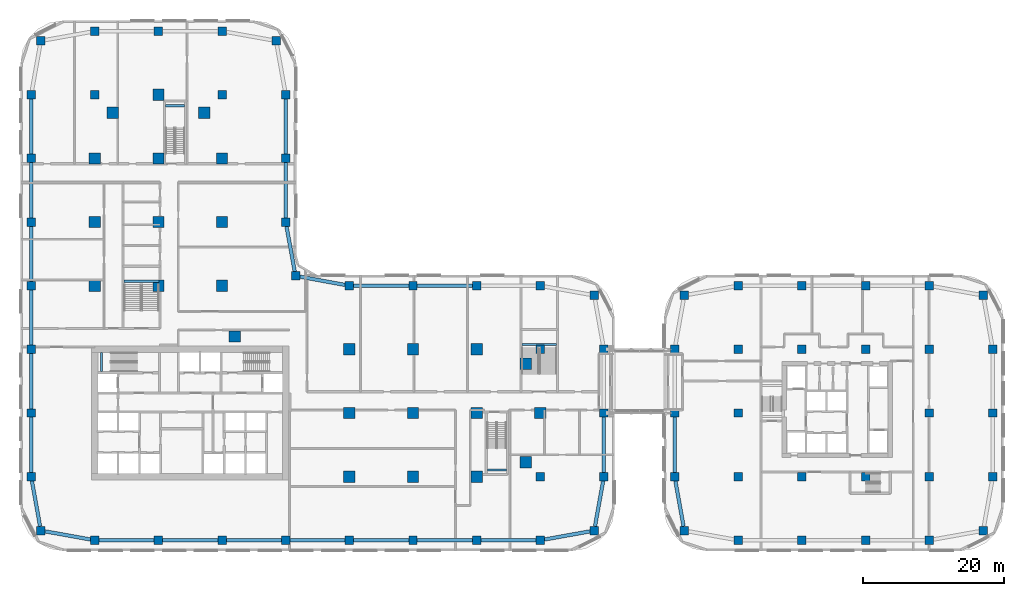
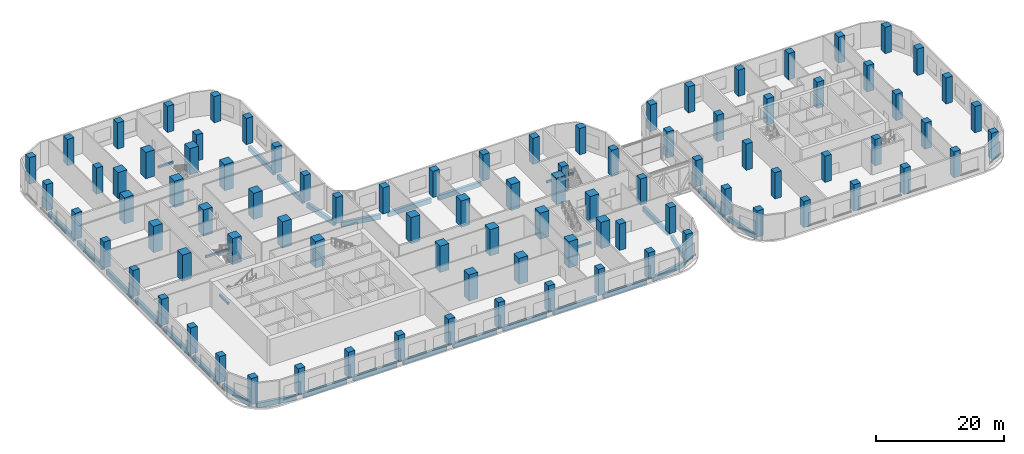
# One storey, part 1 of 35: 91 columns, 31 beams.
"""IFC4 building model written with IfcOpenShell, lengths in metres."""

from ifc_helpers import new_model, si_unit, direction, frame, origin, origin_2d, place, context, subcontext, project, spatial, rectangle, extrude, material, material_profile, profile_set, type_object, element, save


model = new_model("IFC4")

# Units and contexts
model_context = context("Model", 3, precision=1e-05, world=origin(), true_north=direction((0.0, 1.0)))
body_context = subcontext(model_context, "Body", "Model", "MODEL_VIEW")
ifc_project = project(units=[si_unit("LENGTHUNIT", "METRE"), si_unit("AREAUNIT", "SQUARE_METRE"), si_unit("VOLUMEUNIT", "CUBIC_METRE"), si_unit("PLANEANGLEUNIT", "RADIAN"), si_unit("MASSUNIT", "GRAM", prefix="KILO")], contexts=[model_context])

# Site, building, storey
site_placement = place(None, origin())
site = spatial("IfcSite", under=ifc_project, at=site_placement, CompositionType="ELEMENT")
building_placement = place(site_placement, origin())
building = spatial("IfcBuilding", under=site, at=building_placement, Name="Ogive Portal Towers", CompositionType="ELEMENT")
storey_placement = place(building_placement, frame((0.0, 0.0, 18.5)))
storey = spatial("IfcBuildingStorey", under=building, at=storey_placement, Name="L03", CompositionType="ELEMENT", Elevation=18.5)

# Columns
ifc_material_1 = material(Name="Concrete C50/60", Category="concrete")
ifc_material_profile_1 = material_profile(ifc_material_1, rectangle(XDim=1.199951171875, YDim=1.199951171875, at=origin_2d()), Name="RC 1200x1200")
ifc_profile_set_1 = profile_set([ifc_material_profile_1], Name="Concrete C50/60")
column_type_1 = type_object("IfcColumnType", Name="COLUMN RC 1200x1200", PredefinedType="COLUMN", material=ifc_profile_set_1)
for number, where, z_axis, x_axis, name in (
    (1, (31.5, 12.5, 0.0), (0.0, 0.0, 1.0), (1.0, 0.0, 0.0), "Column 1/Z L03"),
    (2, (40.5, 12.5, 0.0), (0.0, 0.0, 1.0), (1.0, 0.0, 0.0), "Column 2/Z L03"),
    (3, (49.5, 12.5, 0.0), (0.0, 0.0, 1.0), (1.0, 0.0, 0.0), "Column 3/Z L03"),
    (4, (58.5, 12.5, 0.0), (0.0, 0.0, 1.0), (1.0, 0.0, 0.0), "Column 4/Z L03"),
    (5, (67.5, 12.5, 0.0), (0.0, 0.0, 1.0), (1.0, 0.0, 0.0), "Column 5/Z L03"),
    (6, (76.5, 12.5, 0.0), (0.0, 0.0, 1.0), (1.0, 0.0, 0.0), "Column 6/Z L03"),
    (7, (85.5, 12.5, 0.0), (0.0, 0.0, 1.0), (1.0, 0.0, 0.0), "Column 7/Z L03"),
    (8, (94.5, 12.5, 0.0), (0.0, 0.0, 1.0), (1.0, 0.0, 0.0), "Column 8/Z L03"),
    (9, (23.8701171875, 13.8701171875, 0.0), (0.0, 0.0, 1.0), (1.0, 0.0, 0.0), "Column L03"),
    (10, (102.1298828125, 13.8701171875, 0.0), (0.0, 0.0, 1.0), (1.0, 0.0, 0.0), "Column L03"),
    (11, (22.5, 21.5, 0.0), (0.0, 0.0, 1.0), (1.0, 0.0, 0.0), "Column 0/A L03"),
    (12, (94.5, 21.5, 0.0), (0.0, 0.0, 1.0), (1.0, 0.0, 0.0), "Column 8/A L03"),
    (13, (103.5, 21.5, 0.0), (0.0, 0.0, 1.0), (1.0, 0.0, 0.0), "Column 9/A L03"),
    (14, (22.5, 30.5, 0.0), (0.0, 0.0, 1.0), (1.0, 0.0, 0.0), "Column 0/B L03"),
    (15, (103.5, 30.5, 0.0), (0.0, 0.0, 1.0), (1.0, 0.0, 0.0), "Column 9/B L03"),
    (16, (22.5, 39.5, 0.0), (0.0, 0.0, 1.0), (1.0, 0.0, 0.0), "Column 0/C L03"),
    (17, (94.5, 39.5, 0.0), (0.0, 0.0, 1.0), (1.0, 0.0, 0.0), "Column 8/C L03"),
    (18, (103.5, 39.5, 0.0), (0.0, 0.0, 1.0), (1.0, 0.0, 0.0), "Column 9/C L03"),
    (19, (102.1298828125, 47.1298828125, 0.0), (0.0, 0.0, 1.0), (1.0, 0.0, 0.0), "Column L03"),
    (20, (22.5, 48.5, 0.0), (0.0, 0.0, 1.0), (1.0, 0.0, 0.0), "Column 0/D L03"),
    (21, (67.5, 48.5, 0.0), (0.0, 0.0, 1.0), (1.0, 0.0, 0.0), "Column 5/D L03"),
    (22, (76.5, 48.5, 0.0), (0.0, 0.0, 1.0), (1.0, 0.0, 0.0), "Column 6/D L03"),
    (23, (85.5, 48.5, 0.0), (0.0, 0.0, 1.0), (1.0, 0.0, 0.0), "Column 7/D L03"),
    (24, (94.5, 48.5, 0.0), (0.0, 0.0, 1.0), (1.0, 0.0, 0.0), "Column 8/D L03"),
    (25, (59.889892578125, 49.889892578125, 0.0), (0.0, 0.0, 1.0), (1.0, 0.0, 0.0), "Column L03"),
    (26, (22.5, 57.5, 0.0), (0.0, 0.0, 1.0), (1.0, 0.0, 0.0), "Column 0/E L03"),
    (27, (58.5, 57.5, 0.0), (0.0, 0.0, 1.0), (1.0, 0.0, 0.0), "Column 4/E L03"),
    (28, (22.5, 66.5, 0.0), (0.0, 0.0, 1.0), (1.0, 0.0, 0.0), "Column 0/F L03"),
    (29, (58.5, 66.5, 0.0), (0.0, 0.0, 1.0), (1.0, 0.0, 0.0), "Column 4/F L03"),
    (30, (22.5, 75.5, 0.0), (0.0, 0.0, 1.0), (1.0, 0.0, 0.0), "Column 0/G L03"),
    (31, (31.5, 75.5, 0.0), (0.0, 0.0, 1.0), (1.0, 0.0, 0.0), "Column 1/G L03"),
    (32, (49.5, 75.5, 0.0), (0.0, 0.0, 1.0), (1.0, 0.0, 0.0), "Column 3/G L03"),
    (33, (58.5, 75.5, 0.0), (0.0, 0.0, 1.0), (1.0, 0.0, 0.0), "Column 4/G L03"),
    (34, (23.8701171875, 83.1298828125, 0.0), (0.0, 0.0, 1.0), (1.0, 0.0, 0.0), "Column L03"),
    (35, (57.1298828125, 83.1298828125, 0.0), (0.0, 0.0, 1.0), (1.0, 0.0, 0.0), "Column L03"),
    (36, (31.5, 84.5, 0.0), (0.0, 0.0, 1.0), (1.0, 0.0, 0.0), "Column 1/H1 L03"),
    (37, (40.5, 84.5, 0.0), (0.0, 0.0, 1.0), (1.0, 0.0, 0.0), "Column 2/H1 L03"),
    (38, (49.5, 84.5, 0.0), (0.0, 0.0, 1.0), (1.0, 0.0, 0.0), "Column 3/H1 L03"),
    (39, (122.5, 12.5, 0.0), (0.0, 0.0, 1.0), (1.0, 0.0, 0.0), "Column P2/Q1 L03"),
    (40, (131.5, 12.5, 0.0), (0.0, 0.0, 1.0), (1.0, 0.0, 0.0), "Column P3/Q1 L03"),
    (41, (140.5, 12.5, 0.0), (0.0, 0.0, 1.0), (1.0, 0.0, 0.0), "Column P4/Q1 L03"),
    (42, (149.5, 12.5, 0.0), (0.0, 0.0, 1.0), (1.0, 0.0, 0.0), "Column P5/Q1 L03"),
    (43, (114.8701171875, 13.8701171875, 0.0), (0.0, 0.0, 1.0), (1.0, 0.0, 0.0), "Column L03"),
    (44, (157.1298828125, 13.8701171875, 0.0), (0.0, 0.0, 1.0), (1.0, 0.0, 0.0), "Column L03"),
    (45, (113.5, 21.5, 0.0), (0.0, 0.0, 1.0), (1.0, 0.0, 0.0), "Column P1/Q2 L03"),
    (46, (122.5, 21.5, 0.0), (0.0, 0.0, 1.0), (1.0, 0.0, 0.0), "Column P2/Q2 L03"),
    (47, (131.5, 21.5, 0.0), (0.0, 0.0, 1.0), (1.0, 0.0, 0.0), "Column P3/Q2 L03"),
    (48, (140.5, 21.5, 0.0), (0.0, 0.0, 1.0), (1.0, 0.0, 0.0), "Column P4/Q2 L03"),
    (49, (149.5, 21.5, 0.0), (0.0, 0.0, 1.0), (1.0, 0.0, 0.0), "Column P5/Q2 L03"),
    (50, (158.5, 21.5, 0.0), (0.0, 0.0, 1.0), (1.0, 0.0, 0.0), "Column P6/Q2 L03"),
    (51, (113.5, 30.5, 0.0), (0.0, 0.0, 1.0), (1.0, 0.0, 0.0), "Column P1/Q3 L03"),
    (52, (122.5, 30.5, 0.0), (0.0, 0.0, 1.0), (1.0, 0.0, 0.0), "Column P2/Q3 L03"),
    (53, (149.5, 30.5, 0.0), (0.0, 0.0, 1.0), (1.0, 0.0, 0.0), "Column P5/Q3 L03"),
    (54, (158.5, 30.5, 0.0), (0.0, 0.0, 1.0), (1.0, 0.0, 0.0), "Column P6/Q3 L03"),
    (55, (113.5, 39.5, 0.0), (0.0, 0.0, 1.0), (1.0, 0.0, 0.0), "Column P1/Q4 L03"),
    (56, (122.5, 39.5, 0.0), (0.0, 0.0, 1.0), (1.0, 0.0, 0.0), "Column P2/Q4 L03"),
    (57, (131.5, 39.5, 0.0), (0.0, 0.0, 1.0), (1.0, 0.0, 0.0), "Column P3/Q4 L03"),
    (58, (140.5, 39.5, 0.0), (0.0, 0.0, 1.0), (1.0, 0.0, 0.0), "Column P4/Q4 L03"),
    (59, (149.5, 39.5, 0.0), (0.0, 0.0, 1.0), (1.0, 0.0, 0.0), "Column P5/Q4 L03"),
    (60, (158.5, 39.5, 0.0), (0.0, 0.0, 1.0), (1.0, 0.0, 0.0), "Column P6/Q4 L03"),
    (61, (114.8701171875, 47.1298828125, 0.0), (0.0, 0.0, 1.0), (1.0, 0.0, 0.0), "Column L03"),
    (62, (157.1298828125, 47.1298828125, 0.0), (0.0, 0.0, 1.0), (1.0, 0.0, 0.0), "Column L03"),
    (63, (122.5, 48.5, 0.0), (0.0, 0.0, 1.0), (1.0, 0.0, 0.0), "Column P2/Q5 L03"),
    (64, (131.5, 48.5, 0.0), (0.0, 0.0, 1.0), (1.0, 0.0, 0.0), "Column P3/Q5 L03"),
    (65, (140.5, 48.5, 0.0), (0.0, 0.0, 1.0), (1.0, 0.0, 0.0), "Column P4/Q5 L03"),
    (66, (149.5, 48.5, 0.0), (0.0, 0.0, 1.0), (1.0, 0.0, 0.0), "Column P5/Q5 L03"),
):
    element("IfcColumn", number, at=place(storey_placement, frame(where, z_axis=z_axis, x_axis=x_axis)), inside=storey, type_object=column_type_1, Name=name, PredefinedType="COLUMN", context=body_context, shape_type="SweptSolid", body=[
        extrude(rectangle(XDim=1.199951171875, YDim=1.199951171875, at=origin_2d()), origin(), (0.0, 0.0, 1.0), 5.0),
    ])
ifc_material_2 = material(Name="Concrete C60/75", Category="concrete")
ifc_material_profile_2 = material_profile(ifc_material_2, rectangle(XDim=1.60009765625, YDim=1.60009765625, at=origin_2d()), Name="RC 1600x1600")
ifc_profile_set_2 = profile_set([ifc_material_profile_2], Name="Concrete C60/75")
column_type_2 = type_object("IfcColumnType", Name="COLUMN RC 1600x1600", PredefinedType="COLUMN", material=ifc_profile_set_2)
for number, where, z_axis, x_axis, name in (
    (67, (67.5, 21.5, 0.0), (0.0, 0.0, 1.0), (1.0, 0.0, 0.0), "Column 5/A L03"),
    (68, (76.5, 21.5, 0.0), (0.0, 0.0, 1.0), (1.0, 0.0, 0.0), "Column 6/A L03"),
    (69, (85.5, 21.5, 0.0), (0.0, 0.0, 1.0), (1.0, 0.0, 0.0), "Column 7/A L03"),
    (70, (67.5, 30.5, 0.0), (0.0, 0.0, 1.0), (1.0, 0.0, 0.0), "Column 5/B L03"),
    (71, (76.5, 30.5, 0.0), (0.0, 0.0, 1.0), (1.0, 0.0, 0.0), "Column 6/B L03"),
    (72, (85.5, 30.5, 0.0), (0.0, 0.0, 1.0), (1.0, 0.0, 0.0), "Column 7/B L03"),
    (73, (94.5, 30.5, 0.0), (0.0, 0.0, 1.0), (1.0, 0.0, 0.0), "Column 8/B L03"),
    (74, (67.5, 39.5, 0.0), (0.0, 0.0, 1.0), (1.0, 0.0, 0.0), "Column 5/C L03"),
    (75, (76.5, 39.5, 0.0), (0.0, 0.0, 1.0), (1.0, 0.0, 0.0), "Column 6/C L03"),
    (76, (85.5, 39.5, 0.0), (0.0, 0.0, 1.0), (1.0, 0.0, 0.0), "Column 7/C L03"),
    (77, (31.5, 48.5, 0.0), (0.0, 0.0, 1.0), (1.0, 0.0, 0.0), "Column 1/D L03"),
    (78, (40.5, 48.5, 0.0), (0.0, 0.0, 1.0), (1.0, 0.0, 0.0), "Column 2/D L03"),
    (79, (49.5, 48.5, 0.0), (0.0, 0.0, 1.0), (1.0, 0.0, 0.0), "Column 3/D L03"),
    (80, (31.5, 57.5, 0.0), (0.0, 0.0, 1.0), (1.0, 0.0, 0.0), "Column 1/E L03"),
    (81, (40.5, 57.5, 0.0), (0.0, 0.0, 1.0), (1.0, 0.0, 0.0), "Column 2/E L03"),
    (82, (49.5, 57.5, 0.0), (0.0, 0.0, 1.0), (1.0, 0.0, 0.0), "Column 3/E L03"),
    (83, (31.5, 66.5, 0.0), (0.0, 0.0, 1.0), (1.0, 0.0, 0.0), "Column 1/F L03"),
    (84, (40.5, 66.5, 0.0), (0.0, 0.0, 1.0), (1.0, 0.0, 0.0), "Column 2/F L03"),
    (85, (49.5, 66.5, 0.0), (0.0, 0.0, 1.0), (1.0, 0.0, 0.0), "Column 3/F L03"),
    (86, (40.5, 75.5, 0.0), (0.0, 0.0, 1.0), (1.0, 0.0, 0.0), "Column 2/G L03"),
    (87, (34.030029296875, 72.969970703125, 0.0), (0.0, 0.0, 1.0), (1.0, 0.0, 0.0), "Column L03"),
    (88, (46.969970703125, 72.969970703125, 0.0), (0.0, 0.0, 1.0), (1.0, 0.0, 0.0), "Column L03"),
    (89, (51.31005859375, 41.31005859375, 0.0), (0.0, 0.0, 1.0), (1.0, 0.0, 0.0), "Column L03"),
    (90, (92.449951171875, 23.550048828125, 0.0), (0.0, 0.0, 1.0), (1.0, 0.0, 0.0), "Column L03"),
    (91, (92.449951171875, 37.449951171875, 0.0), (0.0, 0.0, 1.0), (1.0, 0.0, 0.0), "Column L03"),
):
    element("IfcColumn", number, at=place(storey_placement, frame(where, z_axis=z_axis, x_axis=x_axis)), inside=storey, type_object=column_type_2, Name=name, PredefinedType="COLUMN", context=body_context, shape_type="SweptSolid", body=[
        extrude(rectangle(XDim=1.60009765625, YDim=1.60009765625, at=origin_2d()), origin(), (0.0, 0.0, 1.0), 5.0),
    ])

# Beams
ifc_material_3 = material(Name="Concrete C40/50", Category="concrete")
ifc_material_profile_3 = material_profile(ifc_material_3, rectangle(XDim=0.300048828125, YDim=0.39990234375, at=origin_2d()), Name="RC 300x400")
ifc_profile_set_3 = profile_set([ifc_material_profile_3], Name="Concrete C40/50")
beam_type_1 = type_object("IfcBeamType", Name="BEAM RC 300x400", PredefinedType="BEAM", material=ifc_profile_set_3)
for number, where, z_axis, x_axis, name in (
    (92, (32.449951171875, 36.35009765625, 2.10009765625), (0.0, 1.0, 0.0), (-1.0, 0.0, 0.0), "Landing beam L03"),
    (93, (41.5, 73.949951171875, 2.10009765625), (1.0, 0.0, 0.0), (0.0, 1.0, 0.0), "Landing beam L03"),
    (94, (87.0, 22.449951171875, 2.10009765625), (1.0, 0.0, 0.0), (0.0, 1.0, 0.0), "Landing beam L03"),
):
    element("IfcBeam", number, at=place(storey_placement, frame(where, z_axis=z_axis, x_axis=x_axis)), inside=storey, type_object=beam_type_1, Name=name, PredefinedType="BEAM", context=body_context, shape_type="SweptSolid", body=[
        extrude(rectangle(XDim=0.300048828125, YDim=0.39990234375, at=origin_2d()), origin(), (0.0, 0.0, 1.0), 2.699951171875),
    ])
for number, where, z_axis, x_axis, name in (
    (95, (91.89990234375, 40.18994140625, 2.10009765625), (1.0, 0.0, 0.0), (0.0, 1.0, 0.0), "Landing beam L03"),
    (96, (35.64990234375, 49.139892578125, 2.10009765625), (1.0, 0.0, 0.0), (0.0, 1.0, 0.0), "Landing beam L03"),
):
    element("IfcBeam", number, at=place(storey_placement, frame(where, z_axis=z_axis, x_axis=x_axis)), inside=storey, type_object=beam_type_1, Name=name, PredefinedType="BEAM", context=body_context, shape_type="SweptSolid", body=[
        extrude(rectangle(XDim=0.300048828125, YDim=0.39990234375, at=origin_2d()), origin(), (0.0, 0.0, 1.0), 4.900146484375),
    ])
ifc_material_profile_4 = material_profile(ifc_material_1, rectangle(XDim=0.5, YDim=0.89990234375, at=origin_2d()), Name="RC 500x900")
ifc_profile_set_4 = profile_set([ifc_material_profile_4], Name="Concrete C50/60")
beam_type_2 = type_object("IfcBeamType", Name="PODIUM GIRDER RC 500x900", PredefinedType="BEAM", material=ifc_profile_set_4)
beam_1_placement = place(storey_placement, frame((24.469970703125, 13.76220703125, -0.75), z_axis=(0.984259207685, -0.176730903032, 0.0), x_axis=(0.176730903032, 0.984259207685, 0.0)))
element("IfcBeam", 97, at=beam_1_placement, inside=storey, type_object=beam_type_2, Name="Spandrel beam L03", PredefinedType="BEAM", context=body_context, shape_type="SweptSolid", body=[
    extrude(rectangle(XDim=0.5, YDim=0.89990234375, at=origin_2d()), origin(), (0.0, 0.0, 1.0), 6.53271484375),
])
for number, where, z_axis, x_axis, name in (
    (98, (32.10009765625, 12.5, -0.75), (1.0, 0.0, 0.0), (0.0, 1.0, 0.0), "Spandrel beam L03"),
    (99, (41.10009765625, 12.5, -0.75), (1.0, 0.0, 0.0), (0.0, 1.0, 0.0), "Spandrel beam L03"),
    (100, (50.10009765625, 12.5, -0.75), (1.0, 0.0, 0.0), (0.0, 1.0, 0.0), "Spandrel beam L03"),
    (101, (59.10009765625, 12.5, -0.75), (1.0, 0.0, 0.0), (0.0, 1.0, 0.0), "Spandrel beam L03"),
    (102, (68.10009765625, 12.5, -0.75), (1.0, 0.0, 0.0), (0.0, 1.0, 0.0), "Spandrel beam L03"),
    (103, (77.10009765625, 12.5, -0.75), (1.0, 0.0, 0.0), (0.0, 1.0, 0.0), "Spandrel beam L03"),
    (104, (86.10009765625, 12.5, -0.75), (1.0, 0.0, 0.0), (0.0, 1.0, 0.0), "Spandrel beam L03"),
):
    element("IfcBeam", number, at=place(storey_placement, frame(where, z_axis=z_axis, x_axis=x_axis)), inside=storey, type_object=beam_type_2, Name=name, PredefinedType="BEAM", context=body_context, shape_type="SweptSolid", body=[
        extrude(rectangle(XDim=0.5, YDim=0.89990234375, at=origin_2d()), origin(), (0.0, 0.0, 1.0), 7.7998046875),
    ])
for number, where, z_axis, x_axis, name in (
    (105, (95.10009765625, 12.607666015625, -0.75), (0.984259207685, 0.176730903032, 0.0), (-0.176730903032, 0.984259207685, 0.0), "Spandrel beam L03"),
    (106, (102.23779296875, 14.469970703125, -0.75), (0.176730903032, 0.984259207685, 0.0), (-0.984259207685, 0.176730903032, 0.0), "Spandrel beam L03"),
):
    element("IfcBeam", number, at=place(storey_placement, frame(where, z_axis=z_axis, x_axis=x_axis)), inside=storey, type_object=beam_type_2, Name=name, PredefinedType="BEAM", context=body_context, shape_type="SweptSolid", body=[
        extrude(rectangle(XDim=0.5, YDim=0.89990234375, at=origin_2d()), origin(), (0.0, 0.0, 1.0), 6.53271484375),
    ])
for number, where, z_axis, x_axis, name in (
    (107, (103.5, 22.10009765625, -0.75), (0.0, 1.0, 0.0), (-1.0, 0.0, 0.0), "Spandrel beam L03"),
    (108, (84.89990234375, 48.5, -0.75), (-1.0, 0.0, 0.0), (0.0, -1.0, 0.0), "Spandrel beam L03"),
    (109, (75.89990234375, 48.5, -0.75), (-1.0, 0.0, 0.0), (0.0, -1.0, 0.0), "Spandrel beam L03"),
):
    element("IfcBeam", number, at=place(storey_placement, frame(where, z_axis=z_axis, x_axis=x_axis)), inside=storey, type_object=beam_type_2, Name=name, PredefinedType="BEAM", context=body_context, shape_type="SweptSolid", body=[
        extrude(rectangle(XDim=0.5, YDim=0.89990234375, at=origin_2d()), origin(), (0.0, 0.0, 1.0), 7.7998046875),
    ])
for number, where, z_axis, x_axis, name in (
    (110, (66.89990234375, 48.609619140625, -0.75), (-0.983722101747, 0.179696484478, 0.0), (-0.179696484478, -0.983722101747, 0.0), "Spandrel beam L03"),
    (111, (59.780517578125, 50.489990234375, -0.75), (-0.179696484478, 0.983722101747, 0.0), (-0.983722101747, -0.179696484478, 0.0), "Spandrel beam L03"),
):
    element("IfcBeam", number, at=place(storey_placement, frame(where, z_axis=z_axis, x_axis=x_axis)), inside=storey, type_object=beam_type_2, Name=name, PredefinedType="BEAM", context=body_context, shape_type="SweptSolid", body=[
        extrude(rectangle(XDim=0.5, YDim=0.89990234375, at=origin_2d()), origin(), (0.0, 0.0, 1.0), 6.515869140625),
    ])
for number, where, z_axis, x_axis, name in (
    (112, (58.5, 58.10009765625, -0.75), (0.0, 1.0, 0.0), (-1.0, 0.0, 0.0), "Spandrel beam L03"),
    (113, (58.5, 67.10009765625, -0.75), (0.0, 1.0, 0.0), (-1.0, 0.0, 0.0), "Spandrel beam L03"),
    (114, (22.5, 74.89990234375, -0.75), (0.0, -1.0, 0.0), (1.0, 0.0, 0.0), "Spandrel beam L03"),
    (115, (22.5, 65.89990234375, -0.75), (0.0, -1.0, 0.0), (1.0, 0.0, 0.0), "Spandrel beam L03"),
    (116, (22.5, 56.89990234375, -0.75), (0.0, -1.0, 0.0), (1.0, 0.0, 0.0), "Spandrel beam L03"),
    (117, (22.5, 47.89990234375, -0.75), (0.0, -1.0, 0.0), (1.0, 0.0, 0.0), "Spandrel beam L03"),
    (118, (22.5, 38.89990234375, -0.75), (0.0, -1.0, 0.0), (1.0, 0.0, 0.0), "Spandrel beam L03"),
    (119, (22.5, 29.89990234375, -0.75), (0.0, -1.0, 0.0), (1.0, 0.0, 0.0), "Spandrel beam L03"),
):
    element("IfcBeam", number, at=place(storey_placement, frame(where, z_axis=z_axis, x_axis=x_axis)), inside=storey, type_object=beam_type_2, Name=name, PredefinedType="BEAM", context=body_context, shape_type="SweptSolid", body=[
        extrude(rectangle(XDim=0.5, YDim=0.89990234375, at=origin_2d()), origin(), (0.0, 0.0, 1.0), 7.7998046875),
    ])
beam_2_placement = place(storey_placement, frame((22.607666015625, 20.89990234375, -0.75), z_axis=(0.176730903032, -0.984259207685, 0.0), x_axis=(0.984259207685, 0.176730903032, 0.0)))
element("IfcBeam", 120, at=beam_2_placement, inside=storey, type_object=beam_type_2, Name="Spandrel beam L03", PredefinedType="BEAM", context=body_context, shape_type="SweptSolid", body=[
    extrude(rectangle(XDim=0.5, YDim=0.89990234375, at=origin_2d()), origin(), (0.0, 0.0, 1.0), 6.53271484375),
])
beam_3_placement = place(storey_placement, frame((113.5, 29.89990234375, -0.75), z_axis=(0.0, -1.0, 0.0), x_axis=(1.0, 0.0, 0.0)))
element("IfcBeam", 121, at=beam_3_placement, inside=storey, type_object=beam_type_2, Name="Spandrel beam L03", PredefinedType="BEAM", context=body_context, shape_type="SweptSolid", body=[
    extrude(rectangle(XDim=0.5, YDim=0.89990234375, at=origin_2d()), origin(), (0.0, 0.0, 1.0), 7.7998046875),
])
beam_4_placement = place(storey_placement, frame((113.607666015625, 20.89990234375, -0.75), z_axis=(0.176730903032, -0.984259207685, 0.0), x_axis=(0.984259207685, 0.176730903032, 0.0)))
element("IfcBeam", 122, at=beam_4_placement, inside=storey, type_object=beam_type_2, Name="Spandrel beam L03", PredefinedType="BEAM", context=body_context, shape_type="SweptSolid", body=[
    extrude(rectangle(XDim=0.5, YDim=0.89990234375, at=origin_2d()), origin(), (0.0, 0.0, 1.0), 6.53271484375),
])

save(model, "model.ifc")
